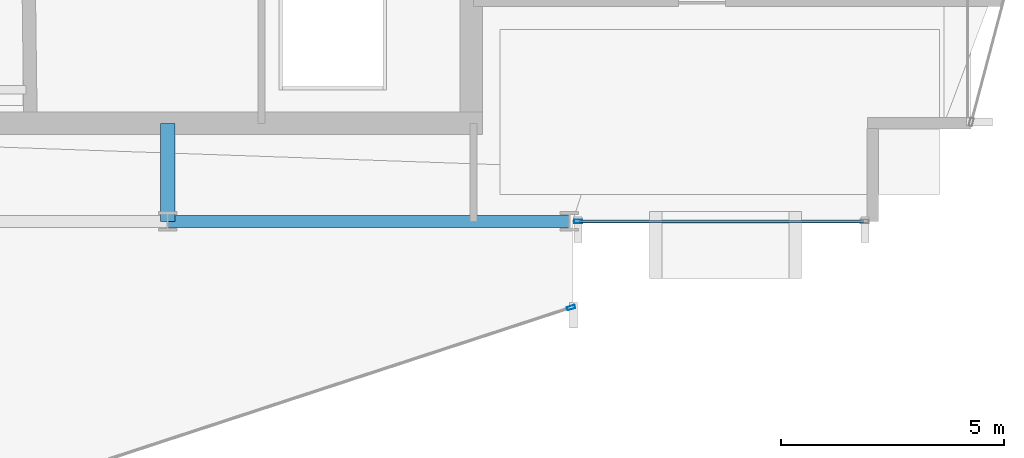
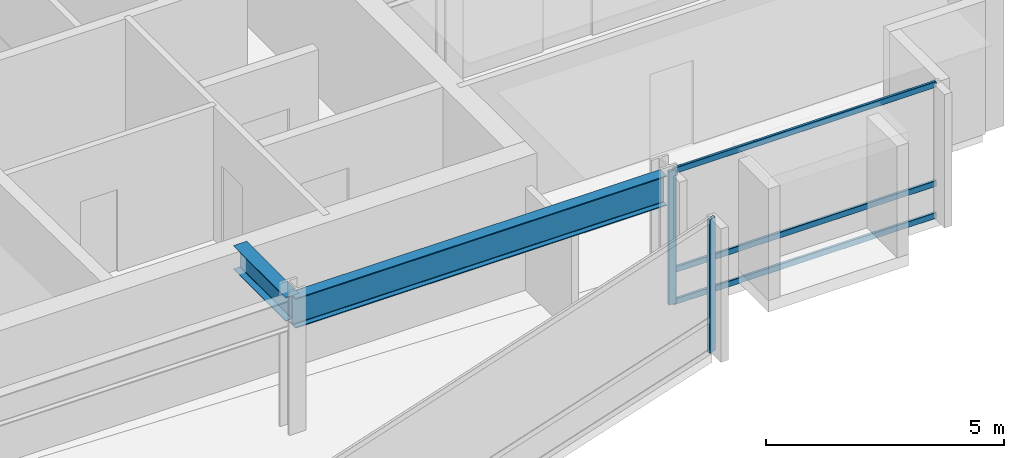
# One storey, part 10 of 29: 5 members, 2 beams, 2 elements without a shape of their own.
"""IFC4 building model written with IfcOpenShell, lengths in metres."""

from ifc_helpers import new_model, si_unit, direction, frame, origin, origin_2d, place, context, subcontext, project, spatial, hollow_rectangle, i_section, extrude, material, layer, layer_set, material_profile, profile_set, type_object, element, aggregate, save


model = new_model("IFC4")

# Units and contexts
model_context = context("Model", 3, precision=1e-05, world=origin(), true_north=direction((0.0, 1.0)))
body_context = subcontext(model_context, "Body", "Model", "MODEL_VIEW")
ifc_project = project(units=[si_unit("LENGTHUNIT", "METRE"), si_unit("AREAUNIT", "SQUARE_METRE"), si_unit("VOLUMEUNIT", "CUBIC_METRE"), si_unit("PLANEANGLEUNIT", "RADIAN"), si_unit("MASSUNIT", "GRAM", prefix="KILO")], contexts=[model_context])

# Site, building, storey
site_placement = place(None, origin())
site = spatial("IfcSite", under=ifc_project, at=site_placement, CompositionType="ELEMENT")
building_placement = place(site_placement, origin())
building = spatial("IfcBuilding", under=site, at=building_placement, Name="Solvaryn Broadcast Tower", CompositionType="ELEMENT")
storey_placement = place(building_placement, frame((0.0, 0.0, 143.300048828125)))
storey = spatial("IfcBuildingStorey", under=building, at=storey_placement, Name="L35", CompositionType="ELEMENT", Elevation=143.300048828125)

# Beams
ifc_material_1 = material(Name="Steel ASTM A992 Grade 50", Category="steel")
ifc_material_profile_1 = material_profile(ifc_material_1, i_section(OverallWidth=0.323974609375, OverallDepth=0.611083984375, WebThickness=0.0126953125, FlangeThickness=0.01904296875, FilletRadius=0.014892578125, at=origin_2d()))
ifc_profile_set_1 = profile_set([ifc_material_profile_1], Name="Steel ASTM A992 Grade 50")
beam_type_1 = type_object("IfcBeamType", Name="BM-B1-W24X104", PredefinedType="BEAM", material=ifc_profile_set_1)
beam_1_placement = place(storey_placement, frame((36.0, 9.0, 3.114501953125), z_axis=(0.0, 1.0, 0.0), x_axis=(-1.0, 0.0, 0.0)))
element("IfcBeam", 1, at=beam_1_placement, inside=storey, type_object=beam_type_1, Name="L35 Core Tie Beam CTE1", PredefinedType="BEAM", context=body_context, shape_type="SweptSolid", body=[
    extrude(i_section(OverallWidth=0.323974609375, OverallDepth=0.611083984375, WebThickness=0.0126953125, FlangeThickness=0.01904296875, FilletRadius=0.014892578125, at=origin_2d()), origin(), (0.0, 0.0, 1.0), 2.199951171875),
])
ifc_material_2 = material(Name="Steel ASTM A992 Grade 50", Category="steel")
ifc_material_profile_2 = material_profile(ifc_material_2, i_section(OverallWidth=0.26708984375, OverallDepth=0.76611328125, WebThickness=0.014892578125, FlangeThickness=0.023681640625, FilletRadius=0.01806640625, at=origin_2d()))
ifc_profile_set_2 = profile_set([ifc_material_profile_2], Name="Steel ASTM A992 Grade 50")
beam_type_2 = type_object("IfcBeamType", Name="BM-SP2-W30X124", PredefinedType="USERDEFINED", material=ifc_profile_set_2)
beam_2_placement = place(storey_placement, frame((36.0, 9.0, 3.036865234375), z_axis=(1.0, 0.0, 0.0), x_axis=(0.0, 1.0, 0.0)))
element("IfcBeam", 2, at=beam_2_placement, inside=storey, type_object=beam_type_2, Name="L35 Spandrel Beam X (36-45 @ Y=9)", ObjectType="SPANDREL", PredefinedType="USERDEFINED", context=body_context, shape_type="SweptSolid", body=[
    extrude(i_section(OverallWidth=0.26708984375, OverallDepth=0.76611328125, WebThickness=0.014892578125, FlangeThickness=0.023681640625, FilletRadius=0.01806640625, at=origin_2d()), origin(), (0.0, 0.0, 1.0), 9.0),
])

# Curtain wall, member
ifc_material_3 = material(Name="Aluminium and Terracotta Unitised Curtain Wall", Category="masonry")
ifc_layer = layer(ifc_material_3, 0.199951171875)
ifc_layer_set = layer_set([ifc_layer], Name="CW-SYS2-LOWMID")
curtain_wall_type = type_object("IfcCurtainWallType", Name="CW-SYS2-LOWMID", PredefinedType="NOTDEFINED", material=ifc_layer_set)
curtain_wall_1_placement = place(storey_placement, origin())
curtain_wall_1 = element("IfcCurtainWall", 3, at=curtain_wall_1_placement, inside=storey, type_object=curtain_wall_type, Name="L35 Curtain Wall DR4", PredefinedType="NOTDEFINED")
ifc_material_4 = material(Name="Anodised Aluminium 6063-T6", Category="aluminium")
ifc_material_profile_3 = material_profile(ifc_material_4, hollow_rectangle(XDim=0.074951171875, YDim=0.179931640625, WallThickness=0.00390625, InnerFilletRadius=0.00390625, OuterFilletRadius=0.008056640625, at=origin_2d()))
ifc_profile_set_3 = profile_set([ifc_material_profile_3], Name="Anodised Aluminium 6063-T6")
member_type_1 = type_object("IfcMemberType", Name="CW-MUL-180", PredefinedType="MULLION", material=ifc_profile_set_3)
member_1_placement = place(storey_placement, frame((45.03857421875, 7.069580078125, 0.0), z_axis=(0.0, 0.0, 1.0), x_axis=(-0.311646057547, 0.950198260794, 0.0)))
member_1 = element("IfcMember", 4, at=member_1_placement, type_object=member_type_1, Name="CWS2 mullion 2", PredefinedType="MULLION", context=body_context, shape_type="SweptSolid", body=[
    extrude(hollow_rectangle(XDim=0.074951171875, YDim=0.179931640625, WallThickness=0.00390625, InnerFilletRadius=0.00390625, OuterFilletRadius=0.008056640625, at=origin_2d()), origin(), (0.0, 0.0, 1.0), 3.419921875),
])
aggregate(curtain_wall_1, [member_1])

# Curtain wall, members
curtain_wall_2_placement = place(storey_placement, origin())
curtain_wall_2 = element("IfcCurtainWall", 5, at=curtain_wall_2_placement, inside=storey, type_object=curtain_wall_type, Name="L35 Curtain Wall S2", PredefinedType="NOTDEFINED")
member_2_placement = place(storey_placement, frame((45.197021484375, 9.0, 0.0), z_axis=(0.0, 0.0, 1.0), x_axis=(0.0, 1.0, 0.0)))
member_2 = element("IfcMember", 6, at=member_2_placement, type_object=member_type_1, Name="CWS2 mullion 1", PredefinedType="MULLION", context=body_context, shape_type="SweptSolid", body=[
    extrude(hollow_rectangle(XDim=0.074951171875, YDim=0.179931640625, WallThickness=0.00390625, InnerFilletRadius=0.00390625, OuterFilletRadius=0.008056640625, at=origin_2d()), origin(), (0.0, 0.0, 1.0), 3.419921875),
])
ifc_material_5 = material(Name="Anodised Aluminium 6063-T6", Category="aluminium")
ifc_material_profile_4 = material_profile(ifc_material_5, hollow_rectangle(XDim=0.06494140625, YDim=0.14990234375, WallThickness=0.00390625, InnerFilletRadius=0.00390625, OuterFilletRadius=0.008056640625, at=origin_2d()))
ifc_profile_set_4 = profile_set([ifc_material_profile_4], Name="Anodised Aluminium 6063-T6")
member_type_2 = type_object("IfcMemberType", Name="CW-TRN-150", PredefinedType="USERDEFINED", material=ifc_profile_set_4)
member_3_placement = place(storey_placement, frame((45.22705078125, 9.0, 0.030029296875), z_axis=(1.0, 0.0, 0.0), x_axis=(0.0, 1.0, 0.0)))
member_3 = element("IfcMember", 7, at=member_3_placement, type_object=member_type_2, Name="CWS2 transom 1.1", ObjectType="TRANSOM", PredefinedType="USERDEFINED", context=body_context, shape_type="SweptSolid", body=[
    extrude(hollow_rectangle(XDim=0.06494140625, YDim=0.14990234375, WallThickness=0.00390625, InnerFilletRadius=0.00390625, OuterFilletRadius=0.008056640625, at=origin_2d()), origin(), (0.0, 0.0, 1.0), 6.363037109375),
])
member_4_placement = place(storey_placement, frame((45.22705078125, 9.0, 0.849853515625), z_axis=(1.0, 0.0, 0.0), x_axis=(0.0, 1.0, 0.0)))
member_4 = element("IfcMember", 8, at=member_4_placement, type_object=member_type_2, Name="CWS2 transom 1.2", ObjectType="TRANSOM", PredefinedType="USERDEFINED", context=body_context, shape_type="SweptSolid", body=[
    extrude(hollow_rectangle(XDim=0.06494140625, YDim=0.14990234375, WallThickness=0.00390625, InnerFilletRadius=0.00390625, OuterFilletRadius=0.008056640625, at=origin_2d()), origin(), (0.0, 0.0, 1.0), 6.363037109375),
])
member_5_placement = place(storey_placement, frame((45.22705078125, 9.0, 3.389892578125), z_axis=(1.0, 0.0, 0.0), x_axis=(0.0, 1.0, 0.0)))
member_5 = element("IfcMember", 9, at=member_5_placement, type_object=member_type_2, Name="CWS2 transom 1.3", ObjectType="TRANSOM", PredefinedType="USERDEFINED", context=body_context, shape_type="SweptSolid", body=[
    extrude(hollow_rectangle(XDim=0.06494140625, YDim=0.14990234375, WallThickness=0.00390625, InnerFilletRadius=0.00390625, OuterFilletRadius=0.008056640625, at=origin_2d()), origin(), (0.0, 0.0, 1.0), 6.363037109375),
])
aggregate(curtain_wall_2, [member_2, member_3, member_4, member_5])

save(model, "model.ifc")
